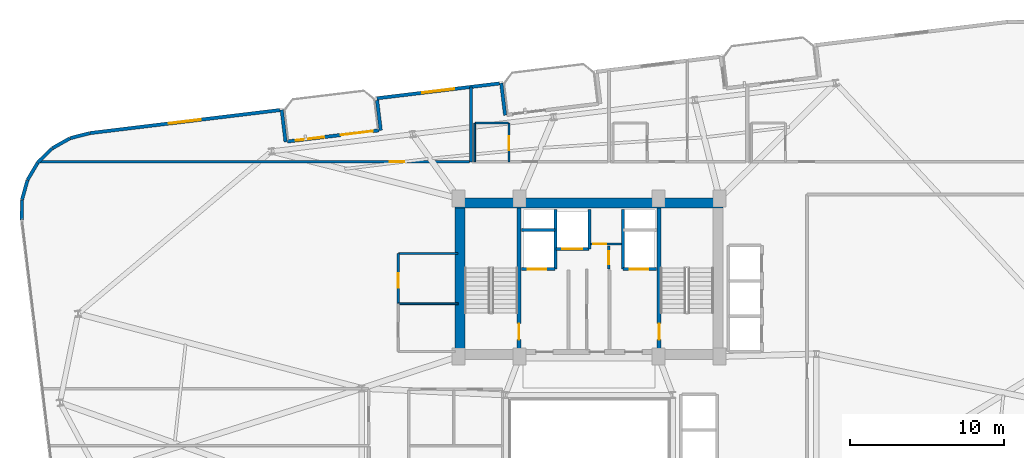
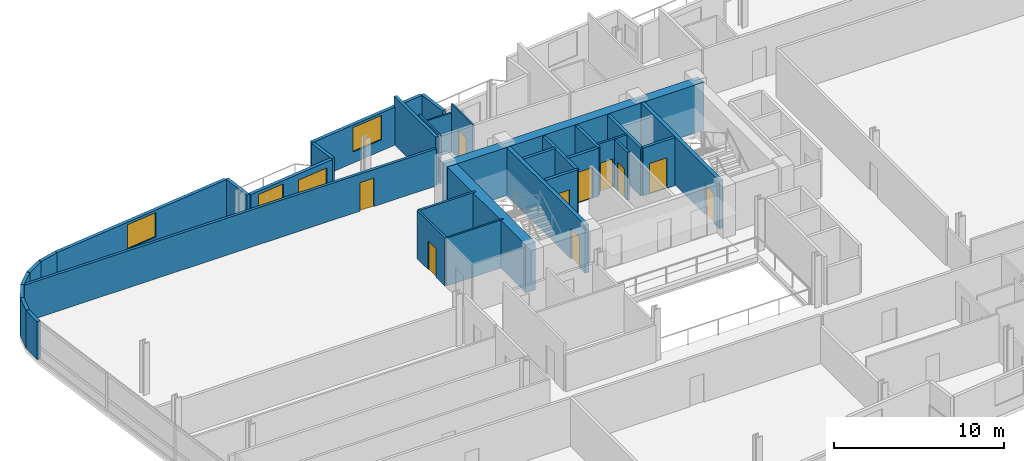
# One storey, part 16 of 22: 33 walls, 11 doors, 3 windows, 14 openings.
"""IFC4 building model written with IfcOpenShell, lengths in metres."""

from ifc_helpers import new_model, si_unit, direction, frame, frame_2d, origin, place, context, subcontext, project, spatial, rectangle, extrude, material, layer, layer_set, type_object, element, fill, save


model = new_model("IFC4")

# Units and contexts
model_context = context("Model", 3, precision=1e-05, world=origin(), true_north=direction((0.0, 1.0)))
body_context = subcontext(model_context, "Body", "Model", "MODEL_VIEW")
ifc_project = project(units=[si_unit("LENGTHUNIT", "METRE"), si_unit("AREAUNIT", "SQUARE_METRE"), si_unit("VOLUMEUNIT", "CUBIC_METRE"), si_unit("PLANEANGLEUNIT", "RADIAN"), si_unit("MASSUNIT", "GRAM", prefix="KILO")], contexts=[model_context])

# Site, building, storey
site_placement = place(None, origin())
site = spatial("IfcSite", under=ifc_project, at=site_placement, CompositionType="ELEMENT")
building_placement = place(site_placement, origin())
building = spatial("IfcBuilding", under=site, at=building_placement, Name="Varnelok Gate Tower", CompositionType="ELEMENT")
storey_placement = place(building_placement, frame((0.0, 0.0, 178.300048828125)))
storey = spatial("IfcBuildingStorey", under=building, at=storey_placement, Name="L45", CompositionType="ELEMENT", Elevation=178.300048828125)

# Wall, openings, door, window
ifc_material_1 = material(Name="Concrete C45/55", Category="concrete")
ifc_layer_1 = layer(ifc_material_1, 0.219970703125)
ifc_layer_set_1 = layer_set([ifc_layer_1], Name="Concrete C45/55")
wall_type_1 = type_object("IfcWallType", Name="EW-BALC-220", PredefinedType="SOLIDWALL", material=ifc_layer_set_1)
wall_1_placement = place(storey_placement, frame((19.556884765625, 42.7529296875, 0.0), z_axis=(0.0, 0.0, 1.0), x_axis=(0.992729951822, 0.120362962556, 0.0)))
wall_1 = element("IfcWall", 1, at=wall_1_placement, inside=storey, type_object=wall_type_1, Name="L45 North Terrace Envelope Wall 4", PredefinedType="SOLIDWALL", context=body_context, shape_type="SweptSolid", body=[
    extrude(rectangle(XDim=6.0, YDim=0.219970703125, at=frame_2d((3.0, 0.0))), origin(), (0.0, 0.0, 1.0), 2.72998046875),
])
opening_1_placement = place(wall_1_placement, frame((3.5, 0.0, 0.0)))
opening_1 = element("IfcOpeningElement", 2, at=opening_1_placement, cuts=wall_1, Name="Opening BD-2", PredefinedType="OPENING", context=body_context, shape_type="SweptSolid", body=[
    extrude(rectangle(XDim=2.10009765625, YDim=2.300048828125, at=frame_2d((1.050048828125, 1.14990234375))), frame((0.0, 0.119873046875, 0.0), z_axis=(0.0, -1.0, 0.0), x_axis=(1.0, 0.0, 0.0)), (0.0, 0.0, 1.0), 0.239990234375),
])
opening_2_placement = place(wall_1_placement, frame((0.550048828125, 0.0, 0.75)))
opening_2 = element("IfcOpeningElement", 3, at=opening_2_placement, cuts=wall_1, Name="Opening WN5", PredefinedType="OPENING", context=body_context, shape_type="SweptSolid", body=[
    extrude(rectangle(XDim=1.85009765625, YDim=1.75, at=frame_2d((0.925048828125, 0.875))), frame((0.0, 0.119873046875, 0.0), z_axis=(0.0, -1.0, 0.0), x_axis=(1.0, 0.0, 0.0)), (0.0, 0.0, 1.0), 0.239990234375),
])
ifc_material_2 = material(Name="Anodized Aluminum Alloy 6063-T6", Category="aluminium")
door_type_1 = type_object("IfcDoorType", Name="DR-EXT-SLID2100", OperationType="SLIDING_TO_LEFT", PredefinedType="DOOR", material=ifc_material_2)
door_1_placement = place(opening_1_placement, origin())
door_1 = element("IfcDoor", 4, at=door_1_placement, inside=storey, type_object=door_type_1, Name="L45 North Balcony Glazed Door 4", OperationType="SLIDING_TO_LEFT", OverallHeight=2.300048828125, OverallWidth=2.10009765625, PredefinedType="DOOR", context=body_context, shape_type="SweptSolid", body=[
    extrude(rectangle(XDim=2.10009765625, YDim=2.300048828125, at=frame_2d((1.050048828125, 1.14990234375))), frame((0.0, 0.02490234375, 0.0), z_axis=(0.0, -1.0, 0.0), x_axis=(1.0, 0.0, 0.0)), (0.0, 0.0, 1.0), 0.050048828125),
])
fill(opening_1, door_1)
ifc_material_3 = material(Name="Low-E Laminated Double Glazing IGU", Category="glass")
window_type_1 = type_object("IfcWindowType", Name="WN-RES-1850", PartitioningType="SINGLE_PANEL", PredefinedType="WINDOW", material=ifc_material_3)
window_1_placement = place(opening_2_placement, origin())
window_1 = element("IfcWindow", 5, at=window_1_placement, inside=storey, type_object=window_type_1, Name="L45 North Vision Window 4.1", OverallHeight=1.75, OverallWidth=1.85009765625, PartitioningType="SINGLE_PANEL", PredefinedType="WINDOW", context=body_context, shape_type="SweptSolid", body=[
    extrude(rectangle(XDim=1.85009765625, YDim=1.75, at=frame_2d((0.925048828125, 0.875))), frame((0.0, 0.030029296875, 0.0), z_axis=(0.0, -1.0, 0.0), x_axis=(1.0, 0.0, 0.0)), (0.0, 0.0, 1.0), 0.06005859375),
])
fill(opening_2, window_1)

# Wall
wall_2_placement = place(storey_placement, frame((33.734375, 44.46142578125, 0.0), z_axis=(0.0, 0.0, 1.0), x_axis=(-0.120327895535, 0.992734202874, 0.0)))
element("IfcWall", 6, at=wall_2_placement, inside=storey, type_object=wall_type_1, Name="L45 Perimeter Facade Closure Wall 34", PredefinedType="SOLIDWALL", context=body_context, shape_type="SweptSolid", body=[
    extrude(rectangle(XDim=2.099853515625, YDim=0.219970703125, at=frame_2d((1.0498046875, 0.0))), origin(), (0.0, 0.0, 1.0), 2.72998046875),
])

# Wall, opening, window
wall_3_placement = place(storey_placement, frame((33.357421875, 46.53125, 0.0), z_axis=(0.0, 0.0, 1.0), x_axis=(-0.992731032022, -0.120354052946, 0.0)))
wall_3 = element("IfcWall", 7, at=wall_3_placement, inside=storey, type_object=wall_type_1, Name="L45 Perimeter Facade Closure Wall 35", PredefinedType="SOLIDWALL", context=body_context, shape_type="SweptSolid", body=[
    extrude(rectangle(XDim=8.034912109375, YDim=0.219970703125, at=frame_2d((4.017578125, 0.0))), origin(), (0.0, 0.0, 1.0), 2.72998046875),
])
opening_3_placement = place(wall_3_placement, frame((2.967529296875, 0.0, 0.800048828125)))
opening_3 = element("IfcOpeningElement", 8, at=opening_3_placement, cuts=wall_3, Name="Opening WN4", PredefinedType="OPENING", context=body_context, shape_type="SweptSolid", body=[
    extrude(rectangle(XDim=2.10009765625, YDim=1.75, at=frame_2d((1.050048828125, 0.875))), frame((0.0, 0.119873046875, 0.0), z_axis=(0.0, -1.0, 0.0), x_axis=(1.0, 0.0, 0.0)), (0.0, 0.0, 1.0), 0.239990234375),
])
window_type_2 = type_object("IfcWindowType", Name="WN-SUI-2100", PartitioningType="SINGLE_PANEL", PredefinedType="WINDOW", material=ifc_material_3)
window_2_placement = place(opening_3_placement, origin())
window_2 = element("IfcWindow", 9, at=window_2_placement, inside=storey, type_object=window_type_2, Name="L45 Perimeter Vision Window 35", OverallHeight=1.75, OverallWidth=2.10009765625, PartitioningType="SINGLE_PANEL", PredefinedType="WINDOW", context=body_context, shape_type="SweptSolid", body=[
    extrude(rectangle(XDim=2.10009765625, YDim=1.75, at=frame_2d((1.050048828125, 0.875))), frame((0.0, 0.030029296875, 0.0), z_axis=(0.0, -1.0, 0.0), x_axis=(1.0, 0.0, 0.0)), (0.0, 0.0, 1.0), 0.06005859375),
])
fill(opening_3, window_2)

# Walls
wall_4_placement = place(storey_placement, frame((25.39599609375, 45.440185546875, 0.0), z_axis=(0.0, 0.0, 1.0), x_axis=(0.120275992932, -0.992740492538, 0.0)))
element("IfcWall", 10, at=wall_4_placement, inside=storey, type_object=wall_type_1, Name="L45 Perimeter Facade Closure Wall 36", PredefinedType="SOLIDWALL", context=body_context, shape_type="SweptSolid", body=[
    extrude(rectangle(XDim=1.97509765625, YDim=0.219970703125, at=frame_2d((0.987548828125, 0.0))), origin(), (0.0, 0.0, 1.0), 2.72998046875),
])
wall_5_placement = place(storey_placement, frame((19.43896484375, 42.728515625, 0.0), z_axis=(0.0, 0.0, 1.0), x_axis=(-0.120327895535, 0.992734202874, 0.0)))
element("IfcWall", 11, at=wall_5_placement, inside=storey, type_object=wall_type_1, Name="L45 Perimeter Facade Closure Wall 37", PredefinedType="SOLIDWALL", context=body_context, shape_type="SweptSolid", body=[
    extrude(rectangle(XDim=2.099853515625, YDim=0.219970703125, at=frame_2d((1.0498046875, 0.0))), origin(), (0.0, 0.0, 1.0), 2.72998046875),
])

# Wall, opening, window
wall_6_placement = place(storey_placement, frame((19.06201171875, 44.798095703125, 0.0), z_axis=(0.0, 0.0, 1.0), x_axis=(-0.992733569027, -0.120333124809, 0.0)))
wall_6 = element("IfcWall", 12, at=wall_6_placement, inside=storey, type_object=wall_type_1, Name="L45 Perimeter Facade Closure Wall 38", PredefinedType="SOLIDWALL", context=body_context, shape_type="SweptSolid", body=[
    extrude(rectangle(XDim=12.447021484375, YDim=0.219970703125, at=frame_2d((6.2236328125, 0.0))), origin(), (0.0, 0.0, 1.0), 2.72998046875),
])
opening_4_placement = place(wall_6_placement, frame((5.173583984375, 0.0, 0.800048828125)))
opening_4 = element("IfcOpeningElement", 13, at=opening_4_placement, cuts=wall_6, Name="Opening WN4", PredefinedType="OPENING", context=body_context, shape_type="SweptSolid", body=[
    extrude(rectangle(XDim=2.10009765625, YDim=1.75, at=frame_2d((1.050048828125, 0.875))), frame((0.0, 0.119873046875, 0.0), z_axis=(0.0, -1.0, 0.0), x_axis=(1.0, 0.0, 0.0)), (0.0, 0.0, 1.0), 0.239990234375),
])
window_3_placement = place(opening_4_placement, origin())
window_3 = element("IfcWindow", 14, at=window_3_placement, inside=storey, type_object=window_type_2, Name="L45 Perimeter Vision Window 38", OverallHeight=1.75, OverallWidth=2.10009765625, PartitioningType="SINGLE_PANEL", PredefinedType="WINDOW", context=body_context, shape_type="SweptSolid", body=[
    extrude(rectangle(XDim=2.10009765625, YDim=1.75, at=frame_2d((1.050048828125, 0.875))), frame((0.0, 0.030029296875, 0.0), z_axis=(0.0, -1.0, 0.0), x_axis=(1.0, 0.0, 0.0)), (0.0, 0.0, 1.0), 0.06005859375),
])
fill(opening_4, window_3)

# Walls
wall_7_placement = place(storey_placement, frame((6.68115234375, 43.294189453125, 0.0), z_axis=(0.0, 0.0, 1.0), x_axis=(-0.968496788899, -0.2490260426, 0.0)))
element("IfcWall", 15, at=wall_7_placement, inside=storey, type_object=wall_type_1, Name="L45 Perimeter Facade Closure Wall 39", PredefinedType="SOLIDWALL", context=body_context, shape_type="SweptSolid", body=[
    extrude(rectangle(XDim=1.308837890625, YDim=0.219970703125, at=frame_2d((0.654296875, 0.0))), origin(), (0.0, 0.0, 1.0), 2.72998046875),
])
for number, where, z_axis, x_axis, name in (
    (16, (5.391845703125, 42.9560546875, 0.0), (0.0, 0.0, 1.0), (-0.87105877335, -0.491178799797, 0.0), "L45 Perimeter Facade Closure Wall 40"),
    (17, (4.24072265625, 42.299560546875, 0.0), (0.0, 0.0, 1.0), (-0.714389219205, -0.699748557329, 0.0), "L45 Perimeter Facade Closure Wall 41"),
):
    element("IfcWall", number, at=place(storey_placement, frame(where, z_axis=z_axis, x_axis=x_axis)), inside=storey, type_object=wall_type_1, Name=name, PredefinedType="SOLIDWALL", context=body_context, shape_type="SweptSolid", body=[
        extrude(rectangle(XDim=1.30078125, YDim=0.219970703125, at=frame_2d((0.650390625, 0.0))), origin(), (0.0, 0.0, 1.0), 2.72998046875),
    ])
wall_8_placement = place(storey_placement, frame((3.298583984375, 41.367919921875, 0.0), z_axis=(0.0, 0.0, 1.0), x_axis=(-0.508716668029, -0.860933999601, 0.0)))
element("IfcWall", 18, at=wall_8_placement, inside=storey, type_object=wall_type_1, Name="L45 Perimeter Facade Closure Wall 42", PredefinedType="SOLIDWALL", context=body_context, shape_type="SweptSolid", body=[
    extrude(rectangle(XDim=1.301025390625, YDim=0.219970703125, at=frame_2d((0.650390625, 0.0))), origin(), (0.0, 0.0, 1.0), 2.72998046875),
])
for number, where, z_axis, x_axis, name in (
    (19, (2.630126953125, 40.223876953125, 0.0), (0.0, 0.0, 1.0), (-0.26876657226, -0.963205341366, 0.0), "L45 Perimeter Facade Closure Wall 43"),
    (20, (2.2802734375, 38.94580078125, 0.0), (0.0, 0.0, 1.0), (-0.01013461463, -0.999948643474, 0.0), "L45 Perimeter Facade Closure Wall 44"),
):
    element("IfcWall", number, at=place(storey_placement, frame(where, z_axis=z_axis, x_axis=x_axis)), inside=storey, type_object=wall_type_1, Name=name, PredefinedType="SOLIDWALL", context=body_context, shape_type="SweptSolid", body=[
        extrude(rectangle(XDim=1.30078125, YDim=0.219970703125, at=frame_2d((0.650390625, 0.0))), origin(), (0.0, 0.0, 1.0), 2.72998046875),
    ])

# Wall, opening, door
ifc_material_4 = material(Name="Gypsum Plasterboard Acoustic Partition", Category="gypsum")
ifc_layer_2 = layer(ifc_material_4, 0.179931640625)
ifc_layer_set_2 = layer_set([ifc_layer_2], Name="Gypsum Plasterboard Acoustic Partition")
wall_type_2 = type_object("IfcWallType", Name="PW-CORR-180", PredefinedType="PARTITIONING", material=ifc_layer_set_2)
wall_9_placement = place(storey_placement, frame((3.39306640625, 41.429931640625, 0.0), z_axis=(0.0, 0.0, 1.0), x_axis=(1.0, 0.0, 0.0)))
wall_9 = element("IfcWall", 21, at=wall_9_placement, inside=storey, type_object=wall_type_2, Name="Interior Partition", PredefinedType="PARTITIONING", context=body_context, shape_type="SweptSolid", body=[
    extrude(rectangle(XDim=28.02685546875, YDim=0.179931640625, at=frame_2d((14.013427734375, 0.0))), origin(), (0.0, 0.0, 1.0), 2.661865234375),
])
opening_5_placement = place(wall_9_placement, frame((22.83203125, 0.0, 0.0)))
opening_5 = element("IfcOpeningElement", 22, at=opening_5_placement, cuts=wall_9, Name="Opening D-I2", PredefinedType="OPENING", context=body_context, shape_type="SweptSolid", body=[
    extrude(rectangle(XDim=0.949951171875, YDim=2.050048828125, at=frame_2d((0.47509765625, 1.02490234375))), frame((0.0, 0.099853515625, 0.0), z_axis=(0.0, -1.0, 0.0), x_axis=(1.0, 0.0, 0.0)), (0.0, 0.0, 1.0), 0.199951171875),
])
ifc_material_5 = material(Name="Engineered Hardwood Timber", Category="wood")
door_type_2 = type_object("IfcDoorType", Name="DR-INT-950", OperationType="NOTDEFINED", PredefinedType="DOOR", material=ifc_material_5)
door_2_placement = place(opening_5_placement, origin())
door_2 = element("IfcDoor", 23, at=door_2_placement, inside=storey, type_object=door_type_2, Name="L45 Sky Library Door", OperationType="SINGLE_SWING_LEFT", OverallHeight=2.050048828125, OverallWidth=0.949951171875, PredefinedType="DOOR", context=body_context, shape_type="SweptSolid", body=[
    extrude(rectangle(XDim=0.949951171875, YDim=2.050048828125, at=frame_2d((0.47509765625, 1.02490234375))), frame((0.0, 0.02490234375, 0.0), z_axis=(0.0, -1.0, 0.0), x_axis=(1.0, 0.0, 0.0)), (0.0, 0.0, 1.0), 0.050048828125),
])
fill(opening_5, door_2)

# Wall
ifc_layer_3 = layer(ifc_material_4, 0.114990234375)
ifc_layer_set_3 = layer_set([ifc_layer_3], Name="Gypsum Plasterboard Acoustic Partition")
wall_type_3 = type_object("IfcWallType", Name="PW-ENS-125", PredefinedType="PARTITIONING", material=ifc_layer_set_3)
wall_10_placement = place(storey_placement, frame((31.800048828125, 43.949951171875, 0.0), z_axis=(0.0, 0.0, 1.0), x_axis=(1.0, 0.0, 0.0)))
element("IfcWall", 24, at=wall_10_placement, inside=storey, type_object=wall_type_3, Name="Interior Partition", PredefinedType="PARTITIONING", context=body_context, shape_type="SweptSolid", body=[
    extrude(rectangle(XDim=2.14990234375, YDim=0.114990234375, at=frame_2d((1.074951171875, 0.0))), origin(), (0.0, 0.0, 1.0), 2.823974609375),
])

# Wall, opening, door
wall_11_placement = place(storey_placement, frame((33.989990234375, 41.429931640625, 0.0), z_axis=(0.0, 0.0, 1.0), x_axis=(0.0, 1.0, 0.0)))
wall_11 = element("IfcWall", 25, at=wall_11_placement, inside=storey, type_object=wall_type_3, Name="Interior Partition", PredefinedType="PARTITIONING", context=body_context, shape_type="SweptSolid", body=[
    extrude(rectangle(XDim=2.52001953125, YDim=0.114990234375, at=frame_2d((1.260009765625, 0.0))), origin(), (0.0, 0.0, 1.0), 3.449951171875),
])
opening_6_placement = place(wall_11_placement, frame((0.760009765625, 0.0, 0.0)))
opening_6 = element("IfcOpeningElement", 26, at=opening_6_placement, cuts=wall_11, Name="Opening D-WC", PredefinedType="OPENING", context=body_context, shape_type="SweptSolid", body=[
    extrude(rectangle(XDim=0.89990234375, YDim=2.050048828125, at=frame_2d((0.449951171875, 1.02490234375))), frame((0.0, 0.0673828125, 0.0), z_axis=(0.0, -1.0, 0.0), x_axis=(1.0, 0.0, 0.0)), (0.0, 0.0, 1.0), 0.135009765625),
])
door_type_3 = type_object("IfcDoorType", Name="DR-BATH-900", OperationType="NOTDEFINED", PredefinedType="DOOR", material=ifc_material_5)
door_3_placement = place(opening_6_placement, origin())
door_3 = element("IfcDoor", 27, at=door_3_placement, inside=storey, type_object=door_type_3, Name="L45 North En-Suite 06 Door", OperationType="SINGLE_SWING_RIGHT", OverallHeight=2.050048828125, OverallWidth=0.89990234375, PredefinedType="DOOR", context=body_context, shape_type="SweptSolid", body=[
    extrude(rectangle(XDim=0.89990234375, YDim=2.050048828125, at=frame_2d((0.449951171875, 1.02490234375))), frame((0.0, 0.02490234375, 0.0), z_axis=(0.0, -1.0, 0.0), x_axis=(1.0, 0.0, 0.0)), (0.0, 0.0, 1.0), 0.050048828125),
])
fill(opening_6, door_3)

# Walls
wall_12_placement = place(storey_placement, frame((31.760009765625, 41.429931640625, 0.0), z_axis=(0.0, 0.0, 1.0), x_axis=(0.0, 1.0, 0.0)))
element("IfcWall", 28, at=wall_12_placement, inside=storey, type_object=wall_type_3, Name="Interior Partition", PredefinedType="PARTITIONING", context=body_context, shape_type="SweptSolid", body=[
    extrude(rectangle(XDim=2.52001953125, YDim=0.114990234375, at=frame_2d((1.260009765625, 0.0))), origin(), (0.0, 0.0, 1.0), 3.449951171875),
])
wall_13_placement = place(storey_placement, frame((26.800048828125, 32.18994140625, 0.0), z_axis=(0.0, 0.0, 1.0), x_axis=(1.0, 0.0, 0.0)))
element("IfcWall", 29, at=wall_13_placement, inside=storey, type_object=wall_type_3, Name="Interior Partition", PredefinedType="PARTITIONING", context=body_context, shape_type="SweptSolid", body=[
    extrude(rectangle(XDim=3.8798828125, YDim=0.114990234375, at=frame_2d((1.93994140625, 0.0))), origin(), (0.0, 0.0, 1.0), 3.449951171875),
])

# Wall, opening, door
ifc_layer_4 = layer(ifc_material_4, 0.14990234375)
ifc_layer_set_4 = layer_set([ifc_layer_4], Name="Gypsum Plasterboard Acoustic Partition")
wall_type_4 = type_object("IfcWallType", Name="PW-PART-150", PredefinedType="PARTITIONING", material=ifc_layer_set_4)
wall_14_placement = place(storey_placement, frame((39.300048828125, 36.080078125, 0.0), z_axis=(0.0, 0.0, 1.0), x_axis=(1.0, 0.0, 0.0)))
wall_14 = element("IfcWall", 30, at=wall_14_placement, inside=storey, type_object=wall_type_4, Name="L45 Electrical Closet South Wall", PredefinedType="PARTITIONING", context=body_context, shape_type="SweptSolid", body=[
    extrude(rectangle(XDim=2.02001953125, YDim=0.14990234375, at=frame_2d((1.010009765625, 0.0))), origin(), (0.0, 0.0, 1.0), 3.449951171875),
])
opening_7_placement = place(wall_14_placement, frame((0.179931640625, 0.0, 0.0)))
opening_7 = element("IfcOpeningElement", 31, at=opening_7_placement, cuts=wall_14, Name="Opening D-RS", PredefinedType="OPENING", context=body_context, shape_type="SweptSolid", body=[
    extrude(rectangle(XDim=0.85009765625, YDim=2.050048828125, at=frame_2d((0.425048828125, 1.02490234375))), frame((0.0, 0.0849609375, 0.0), z_axis=(0.0, -1.0, 0.0), x_axis=(1.0, 0.0, 0.0)), (0.0, 0.0, 1.0), 0.169921875),
])
ifc_material_6 = material(Name="Galvanized Steel Grade S350GD", Category="steel")
door_type_4 = type_object("IfcDoorType", Name="DR-RISER-850", OperationType="NOTDEFINED", PredefinedType="DOOR", material=ifc_material_6)
door_4_placement = place(opening_7_placement, origin())
door_4 = element("IfcDoor", 32, at=door_4_placement, inside=storey, type_object=door_type_4, Name="L45 Electrical Closet Door", OperationType="SINGLE_SWING_RIGHT", OverallHeight=2.050048828125, OverallWidth=0.85009765625, PredefinedType="DOOR", context=body_context, shape_type="SweptSolid", body=[
    extrude(rectangle(XDim=0.85009765625, YDim=2.050048828125, at=frame_2d((0.425048828125, 1.02490234375))), frame((0.0, 0.02490234375, 0.0), z_axis=(0.0, -1.0, 0.0), x_axis=(1.0, 0.0, 0.0)), (0.0, 0.0, 1.0), 0.050048828125),
])
fill(opening_7, door_4)

wall_15_placement = place(storey_placement, frame((40.47998046875, 34.43994140625, 0.0), z_axis=(0.0, 0.0, 1.0), x_axis=(0.0, 1.0, 0.0)))
wall_15 = element("IfcWall", 33, at=wall_15_placement, inside=storey, type_object=wall_type_4, Name="L45 Telecoms Closet West Wall", PredefinedType="PARTITIONING", context=body_context, shape_type="SweptSolid", body=[
    extrude(rectangle(XDim=1.52001953125, YDim=0.14990234375, at=frame_2d((0.760009765625, 0.0))), origin(), (0.0, 0.0, 1.0), 3.449951171875),
])
opening_8_placement = place(wall_15_placement, frame((0.320068359375, 0.0, 0.0)))
opening_8 = element("IfcOpeningElement", 34, at=opening_8_placement, cuts=wall_15, Name="Opening D-RS", PredefinedType="OPENING", context=body_context, shape_type="SweptSolid", body=[
    extrude(rectangle(XDim=0.85009765625, YDim=2.050048828125, at=frame_2d((0.425048828125, 1.02490234375))), frame((0.0, 0.0849609375, 0.0), z_axis=(0.0, -1.0, 0.0), x_axis=(1.0, 0.0, 0.0)), (0.0, 0.0, 1.0), 0.169921875),
])
door_5_placement = place(opening_8_placement, origin())
door_5 = element("IfcDoor", 35, at=door_5_placement, inside=storey, type_object=door_type_4, Name="L45 Telecoms Closet Door", OperationType="SINGLE_SWING_LEFT", OverallHeight=2.050048828125, OverallWidth=0.85009765625, PredefinedType="DOOR", context=body_context, shape_type="SweptSolid", body=[
    extrude(rectangle(XDim=0.85009765625, YDim=2.050048828125, at=frame_2d((0.425048828125, 1.02490234375))), frame((0.0, 0.02490234375, 0.0), z_axis=(0.0, -1.0, 0.0), x_axis=(1.0, 0.0, 0.0)), (0.0, 0.0, 1.0), 0.050048828125),
])
fill(opening_8, door_5)

# Wall
wall_16_placement = place(storey_placement, frame((26.780029296875, 35.4599609375, 0.0), z_axis=(0.0, 0.0, 1.0), x_axis=(1.0, 0.0, 0.0)))
element("IfcWall", 36, at=wall_16_placement, inside=storey, type_object=wall_type_4, Name="Interior Partition", PredefinedType="PARTITIONING", context=body_context, shape_type="SweptSolid", body=[
    extrude(rectangle(XDim=3.89990234375, YDim=0.14990234375, at=frame_2d((1.949951171875, 0.0))), origin(), (0.0, 0.0, 1.0), 3.449951171875),
])

# Wall, opening, door
wall_17_placement = place(storey_placement, frame((26.780029296875, 32.18994140625, 0.0), z_axis=(0.0, 0.0, 1.0), x_axis=(0.0, 1.0, 0.0)))
wall_17 = element("IfcWall", 37, at=wall_17_placement, inside=storey, type_object=wall_type_4, Name="Interior Partition", PredefinedType="PARTITIONING", context=body_context, shape_type="SweptSolid", body=[
    extrude(rectangle(XDim=3.27001953125, YDim=0.14990234375, at=frame_2d((1.635009765625, 0.0))), origin(), (0.0, 0.0, 1.0), 3.449951171875),
])
opening_9_placement = place(wall_17_placement, frame((1.050048828125, 0.0, 0.0)))
opening_9 = element("IfcOpeningElement", 38, at=opening_9_placement, cuts=wall_17, Name="Opening D-I3", PredefinedType="OPENING", context=body_context, shape_type="SweptSolid", body=[
    extrude(rectangle(XDim=0.919921875, YDim=2.050048828125, at=frame_2d((0.4599609375, 1.02490234375))), frame((0.0, 0.0849609375, 0.0), z_axis=(0.0, -1.0, 0.0), x_axis=(1.0, 0.0, 0.0)), (0.0, 0.0, 1.0), 0.169921875),
])
door_type_5 = type_object("IfcDoorType", Name="DR-INT-920", OperationType="NOTDEFINED", PredefinedType="DOOR", material=ifc_material_5)
door_6_placement = place(opening_9_placement, origin())
door_6 = element("IfcDoor", 39, at=door_6_placement, inside=storey, type_object=door_type_5, Name="L45 Core Pantry Door", OperationType="SINGLE_SWING_RIGHT", OverallHeight=2.050048828125, OverallWidth=0.919921875, PredefinedType="DOOR", context=body_context, shape_type="SweptSolid", body=[
    extrude(rectangle(XDim=0.919921875, YDim=2.050048828125, at=frame_2d((0.4599609375, 1.02490234375))), frame((0.0, 0.02490234375, 0.0), z_axis=(0.0, -1.0, 0.0), x_axis=(1.0, 0.0, 0.0)), (0.0, 0.0, 1.0), 0.050048828125),
])
fill(opening_9, door_6)

# Wall
ifc_layer_5 = layer(ifc_material_4, 0.205078125)
ifc_layer_set_5 = layer_set([ifc_layer_5], Name="Gypsum Plasterboard Acoustic Partition")
wall_type_5 = type_object("IfcWallType", Name="PW-PARTY-200", PredefinedType="PARTITIONING", material=ifc_layer_set_5)
wall_18_placement = place(storey_placement, frame((31.5, 41.429931640625, 0.0), z_axis=(0.0, 0.0, 1.0), x_axis=(0.0, 1.0, 0.0)))
element("IfcWall", 40, at=wall_18_placement, inside=storey, type_object=wall_type_5, Name="L45 North Party Wall 1", PredefinedType="PARTITIONING", context=body_context, shape_type="SweptSolid", body=[
    extrude(rectangle(XDim=4.85595703125, YDim=0.205078125, at=frame_2d((2.427978515625, 0.0))), origin(), (0.0, 0.0, 1.0), 3.449951171875),
])

# Wall, opening, door
ifc_material_7 = material(Name="Concrete C35/45", Category="concrete")
ifc_layer_6 = layer(ifc_material_7, 0.199951171875)
ifc_layer_set_6 = layer_set([ifc_layer_6], Name="Concrete C35/45")
wall_type_6 = type_object("IfcWallType", Name="PW-SHAFT-200", PredefinedType="PARTITIONING", material=ifc_layer_set_6)
wall_19_placement = place(storey_placement, frame((34.800048828125, 34.43994140625, 0.0), z_axis=(0.0, 0.0, 1.0), x_axis=(1.0, 0.0, 0.0)))
wall_19 = element("IfcWall", 41, at=wall_19_placement, inside=storey, type_object=wall_type_6, Name="L45 FF1 Shaft Front Wall", PredefinedType="PARTITIONING", context=body_context, shape_type="SweptSolid", body=[
    extrude(rectangle(XDim=2.179931640625, YDim=0.199951171875, at=frame_2d((1.08984375, 0.0))), origin(), (0.0, 0.0, 1.0), 3.449951171875),
])
opening_10_placement = place(wall_19_placement, frame((0.419921875, 0.0, 0.0)))
opening_10 = element("IfcOpeningElement", 42, at=opening_10_placement, cuts=wall_19, Name="Opening LD-FF1", PredefinedType="OPENING", context=body_context, shape_type="SweptSolid", body=[
    extrude(rectangle(XDim=1.199951171875, YDim=2.199951171875, at=frame_2d((0.60009765625, 1.10009765625))), frame((0.0, 0.10986328125, 0.0), z_axis=(0.0, -1.0, 0.0), x_axis=(1.0, 0.0, 0.0)), (0.0, 0.0, 1.0), 0.219970703125),
])
door_type_6 = type_object("IfcDoorType", Name="DR-LIFT-FF1200", OperationType="SLIDING_TO_LEFT", PredefinedType="DOOR", material=ifc_material_6)
door_7_placement = place(opening_10_placement, origin())
door_7 = element("IfcDoor", 43, at=door_7_placement, inside=storey, type_object=door_type_6, Name="L45 Firefighting Lift Landing Door LD-FF1", OperationType="SLIDING_TO_LEFT", OverallHeight=2.199951171875, OverallWidth=1.199951171875, PredefinedType="DOOR", context=body_context, shape_type="SweptSolid", body=[
    extrude(rectangle(XDim=1.199951171875, YDim=2.199951171875, at=frame_2d((0.60009765625, 1.10009765625))), frame((0.0, 0.02490234375, 0.0), z_axis=(0.0, -1.0, 0.0), x_axis=(1.0, 0.0, 0.0)), (0.0, 0.0, 1.0), 0.050048828125),
])
fill(opening_10, door_7)

# Walls
wall_20_placement = place(storey_placement, frame((34.800048828125, 36.97998046875, 0.0), z_axis=(0.0, 0.0, 1.0), x_axis=(1.0, 0.0, 0.0)))
element("IfcWall", 44, at=wall_20_placement, inside=storey, type_object=wall_type_6, Name="L45 FF1 Shaft North Wall", PredefinedType="PARTITIONING", context=body_context, shape_type="SweptSolid", body=[
    extrude(rectangle(XDim=2.179931640625, YDim=0.199951171875, at=frame_2d((1.08984375, 0.0))), origin(), (0.0, 0.0, 1.0), 3.449951171875),
])
wall_21_placement = place(storey_placement, frame((37.0, 34.43994140625, 0.0), z_axis=(0.0, 0.0, 1.0), x_axis=(0.0, 1.0, 0.0)))
element("IfcWall", 45, at=wall_21_placement, inside=storey, type_object=wall_type_6, Name="L45 FF1 Shaft Side Wall", PredefinedType="PARTITIONING", context=body_context, shape_type="SweptSolid", body=[
    extrude(rectangle(XDim=3.900146484375, YDim=0.199951171875, at=frame_2d((1.9501953125, 0.0))), origin(), (0.0, 0.0, 1.0), 3.449951171875),
])

# Wall, opening, door
wall_22_placement = place(storey_placement, frame((41.419921875, 34.43994140625, 0.0), z_axis=(0.0, 0.0, 1.0), x_axis=(1.0, 0.0, 0.0)))
wall_22 = element("IfcWall", 46, at=wall_22_placement, inside=storey, type_object=wall_type_6, Name="L45 FF2 Shaft Front Wall", PredefinedType="PARTITIONING", context=body_context, shape_type="SweptSolid", body=[
    extrude(rectangle(XDim=2.18017578125, YDim=0.199951171875, at=frame_2d((1.090087890625, 0.0))), origin(), (0.0, 0.0, 1.0), 3.449951171875),
])
opening_11_placement = place(wall_22_placement, frame((0.419921875, 0.0, 0.0)))
opening_11 = element("IfcOpeningElement", 47, at=opening_11_placement, cuts=wall_22, Name="Opening LD-FF2", PredefinedType="OPENING", context=body_context, shape_type="SweptSolid", body=[
    extrude(rectangle(XDim=1.199951171875, YDim=2.199951171875, at=frame_2d((0.60009765625, 1.10009765625))), frame((0.0, 0.10986328125, 0.0), z_axis=(0.0, -1.0, 0.0), x_axis=(1.0, 0.0, 0.0)), (0.0, 0.0, 1.0), 0.219970703125),
])
door_8_placement = place(opening_11_placement, origin())
door_8 = element("IfcDoor", 48, at=door_8_placement, inside=storey, type_object=door_type_6, Name="L45 Firefighting Lift Landing Door LD-FF2", OperationType="SLIDING_TO_LEFT", OverallHeight=2.199951171875, OverallWidth=1.199951171875, PredefinedType="DOOR", context=body_context, shape_type="SweptSolid", body=[
    extrude(rectangle(XDim=1.199951171875, YDim=2.199951171875, at=frame_2d((0.60009765625, 1.10009765625))), frame((0.0, 0.02490234375, 0.0), z_axis=(0.0, -1.0, 0.0), x_axis=(1.0, 0.0, 0.0)), (0.0, 0.0, 1.0), 0.050048828125),
])
fill(opening_11, door_8)

# Wall
wall_23_placement = place(storey_placement, frame((41.39990234375, 34.43994140625, 0.0), z_axis=(0.0, 0.0, 1.0), x_axis=(0.0, 1.0, 0.0)))
element("IfcWall", 49, at=wall_23_placement, inside=storey, type_object=wall_type_6, Name="L45 FF2 Shaft Side Wall", PredefinedType="PARTITIONING", context=body_context, shape_type="SweptSolid", body=[
    extrude(rectangle(XDim=3.900146484375, YDim=0.199951171875, at=frame_2d((1.9501953125, 0.0))), origin(), (0.0, 0.0, 1.0), 3.449951171875),
])

# Wall, opening, door
wall_24_placement = place(storey_placement, frame((37.06005859375, 35.75, 0.0), z_axis=(0.0, 0.0, 1.0), x_axis=(1.0, 0.0, 0.0)))
wall_24 = element("IfcWall", 50, at=wall_24_placement, inside=storey, type_object=wall_type_6, Name="L45 SV1 Shaft Front Wall", PredefinedType="PARTITIONING", context=body_context, shape_type="SweptSolid", body=[
    extrude(rectangle(XDim=2.119873046875, YDim=0.199951171875, at=frame_2d((1.06005859375, 0.0))), origin(), (0.0, 0.0, 1.0), 3.449951171875),
])
opening_12_placement = place(wall_24_placement, frame((0.39990234375, 0.0, 0.0)))
opening_12 = element("IfcOpeningElement", 51, at=opening_12_placement, cuts=wall_24, Name="Opening LD-SV1", PredefinedType="OPENING", context=body_context, shape_type="SweptSolid", body=[
    extrude(rectangle(XDim=1.300048828125, YDim=2.199951171875, at=frame_2d((0.64990234375, 1.10009765625))), frame((0.0, 0.10986328125, 0.0), z_axis=(0.0, -1.0, 0.0), x_axis=(1.0, 0.0, 0.0)), (0.0, 0.0, 1.0), 0.219970703125),
])
door_type_7 = type_object("IfcDoorType", Name="DR-LIFT-SV1300", OperationType="SLIDING_TO_LEFT", PredefinedType="DOOR", material=ifc_material_6)
door_9_placement = place(opening_12_placement, origin())
door_9 = element("IfcDoor", 52, at=door_9_placement, inside=storey, type_object=door_type_7, Name="L45 Service Lift Landing Door LD-SV1", OperationType="SLIDING_TO_LEFT", OverallHeight=2.199951171875, OverallWidth=1.300048828125, PredefinedType="DOOR", context=body_context, shape_type="SweptSolid", body=[
    extrude(rectangle(XDim=1.300048828125, YDim=2.199951171875, at=frame_2d((0.64990234375, 1.10009765625))), frame((0.0, 0.02490234375, 0.0), z_axis=(0.0, -1.0, 0.0), x_axis=(1.0, 0.0, 0.0)), (0.0, 0.0, 1.0), 0.050048828125),
])
fill(opening_12, door_9)

# Walls
wall_25_placement = place(storey_placement, frame((39.219970703125, 35.75, 0.0), z_axis=(0.0, 0.0, 1.0), x_axis=(0.0, 1.0, 0.0)))
element("IfcWall", 53, at=wall_25_placement, inside=storey, type_object=wall_type_6, Name="L45 SV1 Shaft East Wall", PredefinedType="PARTITIONING", context=body_context, shape_type="SweptSolid", body=[
    extrude(rectangle(XDim=2.590087890625, YDim=0.199951171875, at=frame_2d((1.294921875, 0.0))), origin(), (0.0, 0.0, 1.0), 3.449951171875),
])
ifc_material_8 = material(Name="Concrete C60/75", Category="concrete")
ifc_layer_7 = layer(ifc_material_8, 0.64990234375)
ifc_layer_set_7 = layer_set([ifc_layer_7], Name="Concrete C60/75")
wall_type_7 = type_object("IfcWallType", Name="SW-CORE-650", PredefinedType="SHEAR", material=ifc_layer_set_7)
wall_26_placement = place(storey_placement, frame((30.47998046875, 38.7451171875, 0.0), z_axis=(0.0, 0.0, 1.0), x_axis=(1.0, 0.0, 0.0)))
element("IfcWall", 54, at=wall_26_placement, inside=storey, type_object=wall_type_7, Name="L45 Rear Core North Shear Wall", PredefinedType="SHEAR", context=body_context, shape_type="SweptSolid", body=[
    extrude(rectangle(XDim=17.43994140625, YDim=0.64990234375, at=frame_2d((8.719970703125, 0.0))), origin(), (0.0, 0.0, 1.0), 3.449951171875),
])
wall_27_placement = place(storey_placement, frame((30.804931640625, 29.199951171875, 0.0), z_axis=(0.0, 0.0, 1.0), x_axis=(0.0, 1.0, 0.0)))
element("IfcWall", 55, at=wall_27_placement, inside=storey, type_object=wall_type_7, Name="L45 Rear Core West Shear Wall", PredefinedType="SHEAR", context=body_context, shape_type="SweptSolid", body=[
    extrude(rectangle(XDim=9.219970703125, YDim=0.64990234375, at=frame_2d((4.60986328125, 0.0))), origin(), (0.0, 0.0, 1.0), 3.449951171875),
])

# Wall, opening, door
ifc_layer_8 = layer(ifc_material_8, 0.25)
ifc_layer_set_8 = layer_set([ifc_layer_8], Name="Concrete C60/75")
wall_type_8 = type_object("IfcWallType", Name="SW-SHAFT-250", PredefinedType="SHEAR", material=ifc_layer_set_8)
wall_28_placement = place(storey_placement, frame((34.639892578125, 29.199951171875, 0.0), z_axis=(0.0, 0.0, 1.0), x_axis=(0.0, 1.0, 0.0)))
wall_28 = element("IfcWall", 56, at=wall_28_placement, inside=storey, type_object=wall_type_8, Name="L45 Stair ST-1 East Shear Wall", PredefinedType="SHEAR", context=body_context, shape_type="SweptSolid", body=[
    extrude(rectangle(XDim=9.219970703125, YDim=0.25, at=frame_2d((4.60986328125, 0.0))), origin(), (0.0, 0.0, 1.0), 3.449951171875),
])
opening_13_placement = place(wall_28_placement, frame((0.64990234375, 0.0, 0.0)))
opening_13 = element("IfcOpeningElement", 57, at=opening_13_placement, cuts=wall_28, Name="Opening D-ST", PredefinedType="OPENING", context=body_context, shape_type="SweptSolid", body=[
    extrude(rectangle(XDim=1.050048828125, YDim=2.14990234375, at=frame_2d((0.52490234375, 1.074951171875))), frame((0.0, 0.135009765625, 0.0), z_axis=(0.0, -1.0, 0.0), x_axis=(1.0, 0.0, 0.0)), (0.0, 0.0, 1.0), 0.27001953125),
])
door_type_8 = type_object("IfcDoorType", Name="DR-STAIR-1050", OperationType="NOTDEFINED", PredefinedType="DOOR", material=ifc_material_6)
door_10_placement = place(opening_13_placement, origin())
door_10 = element("IfcDoor", 58, at=door_10_placement, inside=storey, type_object=door_type_8, Name="L45 Exit Stair ST-1 Fire Door", OperationType="SINGLE_SWING_LEFT", OverallHeight=2.14990234375, OverallWidth=1.050048828125, PredefinedType="DOOR", context=body_context, shape_type="SweptSolid", body=[
    extrude(rectangle(XDim=1.050048828125, YDim=2.14990234375, at=frame_2d((0.52490234375, 1.074951171875))), frame((0.0, 0.02490234375, 0.0), z_axis=(0.0, -1.0, 0.0), x_axis=(1.0, 0.0, 0.0)), (0.0, 0.0, 1.0), 0.050048828125),
])
fill(opening_13, door_10)

wall_29_placement = place(storey_placement, frame((43.760009765625, 29.199951171875, 0.0), z_axis=(0.0, 0.0, 1.0), x_axis=(0.0, 1.0, 0.0)))
wall_29 = element("IfcWall", 59, at=wall_29_placement, inside=storey, type_object=wall_type_8, Name="L45 Stair ST-2 West Shear Wall", PredefinedType="SHEAR", context=body_context, shape_type="SweptSolid", body=[
    extrude(rectangle(XDim=9.219970703125, YDim=0.25, at=frame_2d((4.60986328125, 0.0))), origin(), (0.0, 0.0, 1.0), 3.449951171875),
])
opening_14_placement = place(wall_29_placement, frame((0.64990234375, 0.0, 0.0)))
opening_14 = element("IfcOpeningElement", 60, at=opening_14_placement, cuts=wall_29, Name="Opening D-ST", PredefinedType="OPENING", context=body_context, shape_type="SweptSolid", body=[
    extrude(rectangle(XDim=1.050048828125, YDim=2.14990234375, at=frame_2d((0.52490234375, 1.074951171875))), frame((0.0, 0.135009765625, 0.0), z_axis=(0.0, -1.0, 0.0), x_axis=(1.0, 0.0, 0.0)), (0.0, 0.0, 1.0), 0.27001953125),
])
door_11_placement = place(opening_14_placement, origin())
door_11 = element("IfcDoor", 61, at=door_11_placement, inside=storey, type_object=door_type_8, Name="L45 Exit Stair ST-2 Fire Door", OperationType="SINGLE_SWING_RIGHT", OverallHeight=2.14990234375, OverallWidth=1.050048828125, PredefinedType="DOOR", context=body_context, shape_type="SweptSolid", body=[
    extrude(rectangle(XDim=1.050048828125, YDim=2.14990234375, at=frame_2d((0.52490234375, 1.074951171875))), frame((0.0, 0.02490234375, 0.0), z_axis=(0.0, -1.0, 0.0), x_axis=(1.0, 0.0, 0.0)), (0.0, 0.0, 1.0), 0.050048828125),
])
fill(opening_14, door_11)

save(model, "model.ifc")
